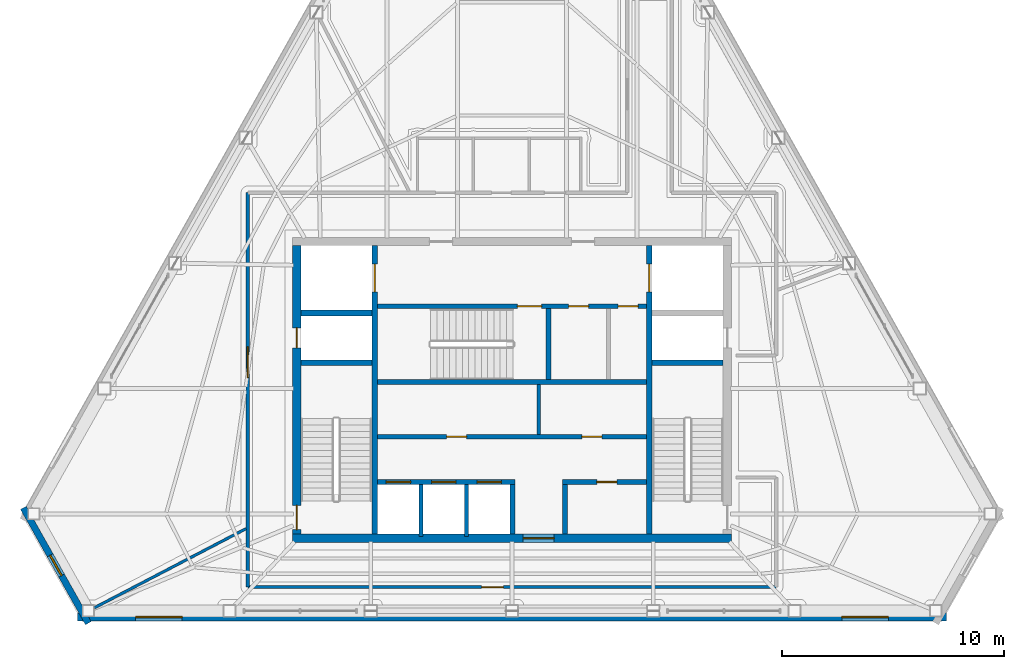
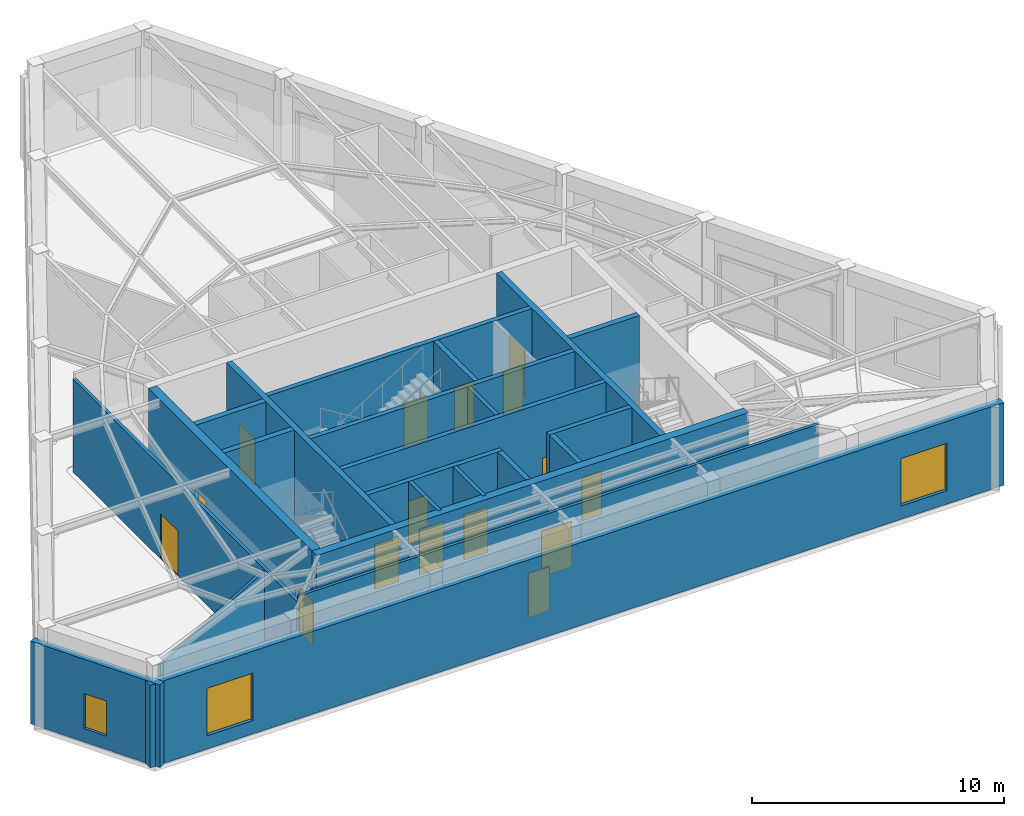
# One storey, part 9 of 15: 23 walls, 16 doors, 3 windows, 19 openings.
"""IFC4 building model written with IfcOpenShell, lengths in metres."""

from ifc_helpers import new_model, si_unit, direction, frame, frame_2d, origin, place, context, subcontext, project, spatial, rectangle, extrude, material, layer, layer_set, type_object, element, fill, save


model = new_model("IFC4")

# Units and contexts
model_context = context("Model", 3, precision=1e-05, world=origin(), true_north=direction((0.0, 1.0)))
body_context = subcontext(model_context, "Body", "Model", "MODEL_VIEW")
ifc_project = project(units=[si_unit("LENGTHUNIT", "METRE"), si_unit("AREAUNIT", "SQUARE_METRE"), si_unit("VOLUMEUNIT", "CUBIC_METRE"), si_unit("PLANEANGLEUNIT", "RADIAN"), si_unit("MASSUNIT", "GRAM", prefix="KILO")], contexts=[model_context])

# Site, building, storey
site_placement = place(None, origin())
site = spatial("IfcSite", under=ifc_project, at=site_placement, CompositionType="ELEMENT")
building_placement = place(site_placement, origin())
building = spatial("IfcBuilding", under=site, at=building_placement, Name="Kavelnor Concourse Tower", CompositionType="ELEMENT")
storey_placement = place(building_placement, frame((0.0, 0.0, 304.949951171875)))
storey = spatial("IfcBuildingStorey", under=building, at=storey_placement, Name="L77", CompositionType="ELEMENT", Elevation=304.949951171875)

# Wall, opening, door
ifc_material_1 = material(Name="Concrete C50/60", Category="concrete")
ifc_layer_1 = layer(ifc_material_1, 0.3798828125, Name="Concrete C50/60")
ifc_layer_set_1 = layer_set([ifc_layer_1], Name="Concrete C50/60")
wall_type_1 = type_object("IfcWallType", Name="WL-CORE-Z4-380", PredefinedType="SOLIDWALL", material=ifc_layer_set_1)
wall_1_placement = place(storey_placement, frame((28.10009765625, 9.409912109375, 0.0), z_axis=(0.0, 0.0, 1.0), x_axis=(1.0, 0.0, 0.0)))
wall_1 = element("IfcWall", 1, at=wall_1_placement, inside=storey, type_object=wall_type_1, Name="L77 Central Core South Shear Wall", PredefinedType="SOLIDWALL", context=body_context, shape_type="SweptSolid", body=[
    extrude(rectangle(XDim=19.7998046875, YDim=0.3798828125, at=frame_2d((9.89990234375, 0.0))), origin(), (0.0, 0.0, 1.0), 4.77001953125),
])
opening_1_placement = place(wall_1_placement, frame((10.39990234375, 0.0, 0.0)))
opening_1 = element("IfcOpeningElement", 2, at=opening_1_placement, cuts=wall_1, Name="Opening SD-140", PredefinedType="OPENING", context=body_context, shape_type="SweptSolid", body=[
    extrude(rectangle(XDim=1.39990234375, YDim=2.199951171875, at=frame_2d((0.699951171875, 1.10009765625))), frame((0.0, 0.199951171875, 0.0), z_axis=(0.0, -1.0, 0.0), x_axis=(1.0, 0.0, 0.0)), (0.0, 0.0, 1.0), 0.39990234375),
])
ifc_material_2 = material(Name="Solid-core hardwood timber", Category="wood")
door_type_1 = type_object("IfcDoorType", Name="DR-SUITE-ENTRY-1400", OperationType="NOTDEFINED", PredefinedType="DOOR", material=ifc_material_2)
door_1_placement = place(opening_1_placement, origin())
door_1 = element("IfcDoor", 3, at=door_1_placement, inside=storey, type_object=door_type_1, Name="L77 Passenger Lift Lobby Entry Door", OperationType="SINGLE_SWING_RIGHT", OverallHeight=2.199951171875, OverallWidth=1.39990234375, PredefinedType="DOOR", context=body_context, shape_type="SweptSolid", body=[
    extrude(rectangle(XDim=1.39990234375, YDim=2.199951171875, at=frame_2d((0.699951171875, 1.10009765625))), frame((0.0, 0.02490234375, 0.0), z_axis=(0.0, -1.0, 0.0), x_axis=(1.0, 0.0, 0.0)), (0.0, 0.0, 1.0), 0.050048828125),
])
fill(opening_1, door_1)

# Wall, openings, doors
wall_2_placement = place(storey_placement, frame((28.2900390625, 9.60009765625, 0.0), z_axis=(0.0, 0.0, 1.0), x_axis=(0.0, 1.0, 0.0)))
wall_2 = element("IfcWall", 4, at=wall_2_placement, inside=storey, type_object=wall_type_1, Name="L77 Central Core West Shear Wall", PredefinedType="SOLIDWALL", context=body_context, shape_type="SweptSolid", body=[
    extrude(rectangle(XDim=13.0, YDim=0.3798828125, at=frame_2d((6.5, 0.0))), origin(), (0.0, 0.0, 1.0), 4.77001953125),
])
opening_2_placement = place(wall_2_placement, frame((0.199951171875, 0.0, 0.0)))
opening_2 = element("IfcOpeningElement", 5, at=opening_2_placement, cuts=wall_2, Name="Opening FD-110", PredefinedType="OPENING", context=body_context, shape_type="SweptSolid", body=[
    extrude(rectangle(XDim=1.10009765625, YDim=2.14990234375, at=frame_2d((0.550048828125, 1.074951171875))), frame((0.0, 0.199951171875, 0.0), z_axis=(0.0, -1.0, 0.0), x_axis=(1.0, 0.0, 0.0)), (0.0, 0.0, 1.0), 0.39990234375),
])
opening_3_placement = place(wall_2_placement, frame((8.39990234375, 0.0, 0.0)))
opening_3 = element("IfcOpeningElement", 6, at=opening_3_placement, cuts=wall_2, Name="Opening FD-090", PredefinedType="OPENING", context=body_context, shape_type="SweptSolid", body=[
    extrude(rectangle(XDim=0.89990234375, YDim=2.10009765625, at=frame_2d((0.449951171875, 1.050048828125))), frame((0.0, 0.199951171875, 0.0), z_axis=(0.0, -1.0, 0.0), x_axis=(1.0, 0.0, 0.0)), (0.0, 0.0, 1.0), 0.39990234375),
])
ifc_material_3 = material(Name="Steel Grade 350", Category="steel")
door_type_2 = type_object("IfcDoorType", Name="DR-RISER-FIRE-900", OperationType="NOTDEFINED", PredefinedType="DOOR", material=ifc_material_3)
door_2_placement = place(opening_3_placement, origin())
door_2 = element("IfcDoor", 7, at=door_2_placement, inside=storey, type_object=door_type_2, Name="L77 West Riser Access Door", OperationType="SINGLE_SWING_RIGHT", OverallHeight=2.10009765625, OverallWidth=0.89990234375, PredefinedType="DOOR", context=body_context, shape_type="SweptSolid", body=[
    extrude(rectangle(XDim=0.89990234375, YDim=2.10009765625, at=frame_2d((0.449951171875, 1.050048828125))), frame((0.0, 0.02490234375, 0.0), z_axis=(0.0, -1.0, 0.0), x_axis=(1.0, 0.0, 0.0)), (0.0, 0.0, 1.0), 0.050048828125),
])
fill(opening_3, door_2)
door_type_3 = type_object("IfcDoorType", Name="DR-STAIR-FIRE-1100", OperationType="NOTDEFINED", PredefinedType="DOOR", material=ifc_material_3)
door_3_placement = place(opening_2_placement, origin())
door_3 = element("IfcDoor", 8, at=door_3_placement, inside=storey, type_object=door_type_3, Name="L77 Stair ST1 Fire Door", OperationType="SINGLE_SWING_LEFT", OverallHeight=2.14990234375, OverallWidth=1.10009765625, PredefinedType="DOOR", context=body_context, shape_type="SweptSolid", body=[
    extrude(rectangle(XDim=1.10009765625, YDim=2.14990234375, at=frame_2d((0.550048828125, 1.074951171875))), frame((0.0, 0.02490234375, 0.0), z_axis=(0.0, -1.0, 0.0), x_axis=(1.0, 0.0, 0.0)), (0.0, 0.0, 1.0), 0.050048828125),
])
fill(opening_2, door_3)

# Wall, opening, window
ifc_material_4 = material(Name="Buff ironspot clay face brick masonry", Category="masonry")
ifc_layer_2 = layer(ifc_material_4, 0.300048828125, Name="Buff ironspot clay face brick masonry")
ifc_layer_set_2 = layer_set([ifc_layer_2], Name="Buff ironspot clay face brick masonry")
wall_type_2 = type_object("IfcWallType", Name="WL-EXT-BUFF-BRICK-FOLD-300", PredefinedType="STANDARD", material=ifc_layer_set_2)
wall_3_placement = place(storey_placement, frame((18.90087890625, 5.583740234375, 0.0), z_axis=(0.0, 0.0, 1.0), x_axis=(-0.490711674977, 0.871322013977, 0.0)))
wall_3 = element("IfcWall", 9, at=wall_3_placement, inside=storey, type_object=wall_type_2, Name="L77 Exterior Brick Facade Wall E2", PredefinedType="STANDARD", context=body_context, shape_type="SweptSolid", body=[
    extrude(rectangle(XDim=5.96923828125, YDim=0.300048828125, at=frame_2d((2.984619140625, 0.0))), origin(), (0.0, 0.0, 1.0), 4.011962890625),
])
opening_4_placement = place(wall_3_placement, frame((2.459716796875, 0.0, 0.64990234375)))
opening_4 = element("IfcOpeningElement", 10, at=opening_4_placement, cuts=wall_3, Name="Opening W-06", PredefinedType="OPENING", context=body_context, shape_type="SweptSolid", body=[
    extrude(rectangle(XDim=1.050048828125, YDim=1.699951171875, at=frame_2d((0.52490234375, 0.85009765625))), frame((0.0, 0.16015625, 0.0), z_axis=(0.0, -1.0, 0.0), x_axis=(1.0, 0.0, 0.0)), (0.0, 0.0, 1.0), 0.320068359375),
])
ifc_material_5 = material(Name="Double low-E argon insulated glazing", Category="glass")
window_type_1 = type_object("IfcWindowType", Name="WIN-FOLD-1050", PartitioningType="SINGLE_PANEL", PredefinedType="WINDOW", material=ifc_material_5)
window_1_placement = place(opening_4_placement, origin())
window_1 = element("IfcWindow", 11, at=window_1_placement, inside=storey, type_object=window_type_1, Name="L77 Chamfer-Fold Facet Window C1", OverallHeight=1.699951171875, OverallWidth=1.050048828125, PartitioningType="SINGLE_PANEL", PredefinedType="WINDOW", context=body_context, shape_type="SweptSolid", body=[
    extrude(rectangle(XDim=1.050048828125, YDim=1.699951171875, at=frame_2d((0.52490234375, 0.85009765625))), frame((0.0, 0.030029296875, 0.0), z_axis=(0.0, -1.0, 0.0), x_axis=(1.0, 0.0, 0.0)), (0.0, 0.0, 1.0), 0.06005859375),
])
fill(opening_4, window_1)

# Wall, openings, windows
ifc_material_6 = material(Name="Red-ochre clay face brick masonry", Category="masonry")
ifc_layer_3 = layer(ifc_material_6, 0.35009765625, Name="Red-ochre clay face brick masonry")
ifc_layer_set_3 = layer_set([ifc_layer_3], Name="Red-ochre clay face brick masonry")
wall_type_3 = type_object("IfcWallType", Name="WL-EXT-RED-BRICK-PIER-350", PredefinedType="STANDARD", material=ifc_layer_set_3)
wall_4_placement = place(storey_placement, frame((57.580078125, 5.864990234375, 0.0), z_axis=(0.0, 0.0, 1.0), x_axis=(-1.0, 0.0, 0.0)))
wall_4 = element("IfcWall", 12, at=wall_4_placement, inside=storey, type_object=wall_type_3, Name="L77 Exterior Brick Facade Wall E3", PredefinedType="STANDARD", context=body_context, shape_type="SweptSolid", body=[
    extrude(rectangle(XDim=39.16015625, YDim=0.35009765625, at=frame_2d((19.580078125, 0.0))), origin(), (0.0, 0.0, 1.0), 4.011962890625),
])
opening_5_placement = place(wall_4_placement, frame((34.446533203125, 0.0, 0.64990234375)))
opening_5 = element("IfcOpeningElement", 13, at=opening_5_placement, cuts=wall_4, Name="Opening W-08", PredefinedType="OPENING", context=body_context, shape_type="SweptSolid", body=[
    extrude(rectangle(XDim=2.10009765625, YDim=2.300048828125, at=frame_2d((1.050048828125, 1.14990234375))), frame((0.0, 0.18505859375, 0.0), z_axis=(0.0, -1.0, 0.0), x_axis=(1.0, 0.0, 0.0)), (0.0, 0.0, 1.0), 0.3701171875),
])
opening_6_placement = place(wall_4_placement, frame((2.61376953125, 0.0, 0.64990234375)))
opening_6 = element("IfcOpeningElement", 14, at=opening_6_placement, cuts=wall_4, Name="Opening W-08", PredefinedType="OPENING", context=body_context, shape_type="SweptSolid", body=[
    extrude(rectangle(XDim=2.10009765625, YDim=2.300048828125, at=frame_2d((1.050048828125, 1.14990234375))), frame((0.0, 0.18505859375, 0.0), z_axis=(0.0, -1.0, 0.0), x_axis=(1.0, 0.0, 0.0)), (0.0, 0.0, 1.0), 0.3701171875),
])
window_type_2 = type_object("IfcWindowType", Name="WIN-OBS-2400", PartitioningType="SINGLE_PANEL", PredefinedType="WINDOW", material=ifc_material_5)
window_2_placement = place(opening_5_placement, origin())
window_2 = element("IfcWindow", 15, at=window_2_placement, inside=storey, type_object=window_type_2, Name="L77 Deep-Set Brick Pier Window F1-B0", OverallHeight=2.300048828125, OverallWidth=2.10009765625, PartitioningType="SINGLE_PANEL", PredefinedType="WINDOW", context=body_context, shape_type="SweptSolid", body=[
    extrude(rectangle(XDim=2.10009765625, YDim=2.300048828125, at=frame_2d((1.050048828125, 1.14990234375))), frame((0.0, 0.030029296875, 0.0), z_axis=(0.0, -1.0, 0.0), x_axis=(1.0, 0.0, 0.0)), (0.0, 0.0, 1.0), 0.06005859375),
])
fill(opening_5, window_2)
window_3_placement = place(opening_6_placement, origin())
window_3 = element("IfcWindow", 16, at=window_3_placement, inside=storey, type_object=window_type_2, Name="L77 Deep-Set Brick Pier Window F1-B5", OverallHeight=2.300048828125, OverallWidth=2.10009765625, PartitioningType="SINGLE_PANEL", PredefinedType="WINDOW", context=body_context, shape_type="SweptSolid", body=[
    extrude(rectangle(XDim=2.10009765625, YDim=2.300048828125, at=frame_2d((1.050048828125, 1.14990234375))), frame((0.0, 0.030029296875, 0.0), z_axis=(0.0, -1.0, 0.0), x_axis=(1.0, 0.0, 0.0)), (0.0, 0.0, 1.0), 0.06005859375),
])
fill(opening_6, window_3)

# Wall, opening, door
ifc_material_7 = material(Name="Gypsum plasterboard on light-gauge steel studs", Category="steel")
ifc_layer_4 = layer(ifc_material_7, 0.14501953125, Name="Gypsum plasterboard on light-gauge steel studs")
ifc_layer_set_4 = layer_set([ifc_layer_4], Name="Gypsum plasterboard on light-gauge steel studs")
wall_type_4 = type_object("IfcWallType", Name="WL-INT-CORR-145", PredefinedType="PARTITIONING", material=ifc_layer_set_4)
wall_5_placement = place(storey_placement, frame((49.909912109375, 7.2099609375, 0.0), z_axis=(0.0, 0.0, 1.0), x_axis=(-1.0, 0.0, 0.0)))
wall_5 = element("IfcWall", 17, at=wall_5_placement, inside=storey, type_object=wall_type_4, Name="L77 Corridor Wall WL-L77-CR-09", PredefinedType="PARTITIONING", context=body_context, shape_type="SweptSolid", body=[
    extrude(rectangle(XDim=23.81982421875, YDim=0.14501953125, at=frame_2d((11.909912109375, 0.0))), origin(), (0.0, 0.0, 1.0), 4.77001953125),
])
opening_7_placement = place(wall_5_placement, frame((12.300048828125, 0.0, 0.0)))
opening_7 = element("IfcOpeningElement", 18, at=opening_7_placement, cuts=wall_5, Name="Opening OD-098", PredefinedType="OPENING", context=body_context, shape_type="SweptSolid", body=[
    extrude(rectangle(XDim=0.97998046875, YDim=2.14990234375, at=frame_2d((0.489990234375, 1.074951171875))), frame((0.0, 0.08251953125, 0.0), z_axis=(0.0, -1.0, 0.0), x_axis=(1.0, 0.0, 0.0)), (0.0, 0.0, 1.0), 0.1650390625),
])
door_type_4 = type_object("IfcDoorType", Name="DR-OFFICE-980", OperationType="NOTDEFINED", PredefinedType="DOOR", material=ifc_material_2)
door_4_placement = place(opening_7_placement, origin())
door_4 = element("IfcDoor", 19, at=door_4_placement, inside=storey, type_object=door_type_4, Name="L77 Sky Cafe 03 Door", OperationType="SINGLE_SWING_LEFT", OverallHeight=2.14990234375, OverallWidth=0.97998046875, PredefinedType="DOOR", context=body_context, shape_type="SweptSolid", body=[
    extrude(rectangle(XDim=0.97998046875, YDim=2.14990234375, at=frame_2d((0.489990234375, 1.074951171875))), frame((0.0, 0.02490234375, 0.0), z_axis=(0.0, -1.0, 0.0), x_axis=(1.0, 0.0, 0.0)), (0.0, 0.0, 1.0), 0.050048828125),
])
fill(opening_7, door_4)

wall_6_placement = place(storey_placement, frame((26.090087890625, 7.2099609375, 0.0), z_axis=(0.0, 0.0, 1.0), x_axis=(0.0, 1.0, 0.0)))
wall_6 = element("IfcWall", 20, at=wall_6_placement, inside=storey, type_object=wall_type_4, Name="L77 Corridor Wall WL-L77-CR-10", PredefinedType="PARTITIONING", context=body_context, shape_type="SweptSolid", body=[
    extrude(rectangle(XDim=17.780029296875, YDim=0.14501953125, at=frame_2d((8.89013671875, 0.0))), origin(), (0.0, 0.0, 1.0), 4.509033203125),
])
opening_8_placement = place(wall_6_placement, frame((9.429931640625, 0.0, 0.0)))
opening_8 = element("IfcOpeningElement", 21, at=opening_8_placement, cuts=wall_6, Name="Opening SD-140", PredefinedType="OPENING", context=body_context, shape_type="SweptSolid", body=[
    extrude(rectangle(XDim=1.39990234375, YDim=2.199951171875, at=frame_2d((0.699951171875, 1.10009765625))), frame((0.0, 0.08251953125, 0.0), z_axis=(0.0, -1.0, 0.0), x_axis=(1.0, 0.0, 0.0)), (0.0, 0.0, 1.0), 0.1650390625),
])
door_5_placement = place(opening_8_placement, origin())
door_5 = element("IfcDoor", 22, at=door_5_placement, inside=storey, type_object=door_type_1, Name="L77 Observation Gallery 02 Door", OperationType="SINGLE_SWING_RIGHT", OverallHeight=2.199951171875, OverallWidth=1.39990234375, PredefinedType="DOOR", context=body_context, shape_type="SweptSolid", body=[
    extrude(rectangle(XDim=1.39990234375, YDim=2.199951171875, at=frame_2d((0.699951171875, 1.10009765625))), frame((0.0, 0.02490234375, 0.0), z_axis=(0.0, -1.0, 0.0), x_axis=(1.0, 0.0, 0.0)), (0.0, 0.0, 1.0), 0.050048828125),
])
fill(opening_8, door_5)

# Walls
ifc_layer_5 = layer(ifc_material_7, 0.1650390625, Name="Gypsum plasterboard on light-gauge steel studs")
ifc_layer_set_5 = layer_set([ifc_layer_5], Name="Gypsum plasterboard on light-gauge steel studs")
wall_type_5 = type_object("IfcWallType", Name="WL-INT-FIRE-165", PredefinedType="PARTITIONING", material=ifc_layer_set_5)
for number, where, z_axis, x_axis, name in (
    (23, (33.89990234375, 9.489990234375, 0.0), (0.0, 0.0, 1.0), (0.0, 1.0, 0.0), "L77 Lift Shaft Divider LP7"),
    (24, (35.949951171875, 9.489990234375, 0.0), (0.0, 0.0, 1.0), (0.0, 1.0, 0.0), "L77 Lift Shaft Divider LP8"),
):
    element("IfcWall", number, at=place(storey_placement, frame(where, z_axis=z_axis, x_axis=x_axis)), inside=storey, type_object=wall_type_5, Name=name, PredefinedType="PARTITIONING", context=body_context, shape_type="SweptSolid", body=[
        extrude(rectangle(XDim=2.35009765625, YDim=0.1650390625, at=frame_2d((1.175048828125, 0.0))), origin(), (0.0, 0.0, 1.0), 4.77001953125),
    ])
wall_7_placement = place(storey_placement, frame((39.199951171875, 14.10009765625, 0.0), z_axis=(0.0, 0.0, 1.0), x_axis=(0.0, 1.0, 0.0)))
element("IfcWall", 25, at=wall_7_placement, inside=storey, type_object=wall_type_5, Name="L77 Reclaimed Core Partition C", PredefinedType="PARTITIONING", context=body_context, shape_type="SweptSolid", body=[
    extrude(rectangle(XDim=2.239990234375, YDim=0.1650390625, at=frame_2d((1.1201171875, 0.0))), origin(), (0.0, 0.0, 1.0), 4.77001953125),
])
ifc_layer_6 = layer(ifc_material_7, 0.125, Name="Gypsum plasterboard on light-gauge steel studs")
ifc_layer_set_6 = layer_set([ifc_layer_6], Name="Gypsum plasterboard on light-gauge steel studs")
wall_type_6 = type_object("IfcWallType", Name="WL-INT-SUITE-125", PredefinedType="PARTITIONING", material=ifc_layer_set_6)
wall_8_placement = place(storey_placement, frame((26.009521484375, 9.843994140625, 0.0), z_axis=(0.0, 0.0, 1.0), x_axis=(-0.886593308509, -0.462549786842, 0.0)))
element("IfcWall", 26, at=wall_8_placement, inside=storey, type_object=wall_type_6, Name="L77 Radial Suite Partition 03", PredefinedType="PARTITIONING", context=body_context, shape_type="SweptSolid", body=[
    extrude(rectangle(XDim=7.716064453125, YDim=0.125, at=frame_2d((3.85791015625, 0.0))), origin(), (0.0, 0.0, 1.0), 4.406005859375),
])

# Wall, openings, doors
ifc_layer_7 = layer(ifc_material_1, 0.219970703125, Name="Concrete C50/60")
ifc_layer_set_7 = layer_set([ifc_layer_7], Name="Concrete C50/60")
wall_type_7 = type_object("IfcWallType", Name="WL-SHAFT-220", PredefinedType="SOLIDWALL", material=ifc_layer_set_7)
wall_9_placement = place(storey_placement, frame((31.93994140625, 19.8701171875, 0.0), z_axis=(0.0, 0.0, 1.0), x_axis=(1.0, 0.0, 0.0)))
wall_9 = element("IfcWall", 27, at=wall_9_placement, inside=storey, type_object=wall_type_7, Name="L77 Emergency Lift Lobby South Wall", PredefinedType="SOLIDWALL", context=body_context, shape_type="SweptSolid", body=[
    extrude(rectangle(XDim=12.1201171875, YDim=0.219970703125, at=frame_2d((6.06005859375, 0.0))), origin(), (0.0, 0.0, 1.0), 4.77001953125),
])
opening_9_placement = place(wall_9_placement, frame((6.300048828125, 0.0, 0.0)))
opening_9 = element("IfcOpeningElement", 28, at=opening_9_placement, cuts=wall_9, Name="Opening FD-110", PredefinedType="OPENING", context=body_context, shape_type="SweptSolid", body=[
    extrude(rectangle(XDim=1.10009765625, YDim=2.14990234375, at=frame_2d((0.550048828125, 1.074951171875))), frame((0.0, 0.1201171875, 0.0), z_axis=(0.0, -1.0, 0.0), x_axis=(1.0, 0.0, 0.0)), (0.0, 0.0, 1.0), 0.239990234375),
])
opening_10_placement = place(wall_9_placement, frame((8.610107421875, 0.0, 0.0)))
opening_10 = element("IfcOpeningElement", 29, at=opening_10_placement, cuts=wall_9, Name="Opening FD-090", PredefinedType="OPENING", context=body_context, shape_type="SweptSolid", body=[
    extrude(rectangle(XDim=0.89990234375, YDim=2.10009765625, at=frame_2d((0.449951171875, 1.050048828125))), frame((0.0, 0.1201171875, 0.0), z_axis=(0.0, -1.0, 0.0), x_axis=(1.0, 0.0, 0.0)), (0.0, 0.0, 1.0), 0.239990234375),
])
opening_11_placement = place(wall_9_placement, frame((10.85009765625, 0.0, 0.0)))
opening_11 = element("IfcOpeningElement", 30, at=opening_11_placement, cuts=wall_9, Name="Opening FD-090", PredefinedType="OPENING", context=body_context, shape_type="SweptSolid", body=[
    extrude(rectangle(XDim=0.89990234375, YDim=2.10009765625, at=frame_2d((0.449951171875, 1.050048828125))), frame((0.0, 0.1201171875, 0.0), z_axis=(0.0, -1.0, 0.0), x_axis=(1.0, 0.0, 0.0)), (0.0, 0.0, 1.0), 0.239990234375),
])
door_6_placement = place(opening_10_placement, origin())
door_6 = element("IfcDoor", 31, at=door_6_placement, inside=storey, type_object=door_type_2, Name="L77 Electrical Room Door", OperationType="SINGLE_SWING_LEFT", OverallHeight=2.10009765625, OverallWidth=0.89990234375, PredefinedType="DOOR", context=body_context, shape_type="SweptSolid", body=[
    extrude(rectangle(XDim=0.89990234375, YDim=2.10009765625, at=frame_2d((0.449951171875, 1.050048828125))), frame((0.0, 0.02490234375, 0.0), z_axis=(0.0, -1.0, 0.0), x_axis=(1.0, 0.0, 0.0)), (0.0, 0.0, 1.0), 0.050048828125),
])
fill(opening_10, door_6)
door_7_placement = place(opening_11_placement, origin())
door_7 = element("IfcDoor", 32, at=door_7_placement, inside=storey, type_object=door_type_2, Name="L77 Cleaner Store Door", OperationType="SINGLE_SWING_RIGHT", OverallHeight=2.10009765625, OverallWidth=0.89990234375, PredefinedType="DOOR", context=body_context, shape_type="SweptSolid", body=[
    extrude(rectangle(XDim=0.89990234375, YDim=2.10009765625, at=frame_2d((0.449951171875, 1.050048828125))), frame((0.0, 0.02490234375, 0.0), z_axis=(0.0, -1.0, 0.0), x_axis=(1.0, 0.0, 0.0)), (0.0, 0.0, 1.0), 0.050048828125),
])
fill(opening_11, door_7)
door_8_placement = place(opening_9_placement, origin())
door_8 = element("IfcDoor", 33, at=door_8_placement, inside=storey, type_object=door_type_3, Name="L77 Stair ST3 Fire Door", OperationType="SINGLE_SWING_LEFT", OverallHeight=2.14990234375, OverallWidth=1.10009765625, PredefinedType="DOOR", context=body_context, shape_type="SweptSolid", body=[
    extrude(rectangle(XDim=1.10009765625, YDim=2.14990234375, at=frame_2d((0.550048828125, 1.074951171875))), frame((0.0, 0.02490234375, 0.0), z_axis=(0.0, -1.0, 0.0), x_axis=(1.0, 0.0, 0.0)), (0.0, 0.0, 1.0), 0.050048828125),
])
fill(opening_9, door_8)

# Walls
wall_10_placement = place(storey_placement, frame((31.93994140625, 16.449951171875, 0.0), z_axis=(0.0, 0.0, 1.0), x_axis=(1.0, 0.0, 0.0)))
element("IfcWall", 34, at=wall_10_placement, inside=storey, type_object=wall_type_7, Name="L77 Stair ST3 South Core Wall", PredefinedType="SOLIDWALL", context=body_context, shape_type="SweptSolid", body=[
    extrude(rectangle(XDim=12.1201171875, YDim=0.219970703125, at=frame_2d((6.06005859375, 0.0))), origin(), (0.0, 0.0, 1.0), 4.77001953125),
])
wall_11_placement = place(storey_placement, frame((39.64990234375, 16.56005859375, 0.0), z_axis=(0.0, 0.0, 1.0), x_axis=(0.0, 1.0, 0.0)))
element("IfcWall", 35, at=wall_11_placement, inside=storey, type_object=wall_type_7, Name="L77 Stair ST3 East Core Wall", PredefinedType="SOLIDWALL", context=body_context, shape_type="SweptSolid", body=[
    extrude(rectangle(XDim=3.199951171875, YDim=0.219970703125, at=frame_2d((1.60009765625, 0.0))), origin(), (0.0, 0.0, 1.0), 4.77001953125),
])

# Wall, openings, doors
wall_12_placement = place(storey_placement, frame((31.93994140625, 13.989990234375, 0.0), z_axis=(0.0, 0.0, 1.0), x_axis=(1.0, 0.0, 0.0)))
wall_12 = element("IfcWall", 36, at=wall_12_placement, inside=storey, type_object=wall_type_7, Name="L77 North Lift Row Shaft Wall", PredefinedType="SOLIDWALL", context=body_context, shape_type="SweptSolid", body=[
    extrude(rectangle(XDim=12.1201171875, YDim=0.219970703125, at=frame_2d((6.06005859375, 0.0))), origin(), (0.0, 0.0, 1.0), 4.77001953125),
])
opening_12_placement = place(wall_12_placement, frame((3.110107421875, 0.0, 0.0)))
opening_12 = element("IfcOpeningElement", 37, at=opening_12_placement, cuts=wall_12, Name="Opening FD-090", PredefinedType="OPENING", context=body_context, shape_type="SweptSolid", body=[
    extrude(rectangle(XDim=0.89990234375, YDim=2.10009765625, at=frame_2d((0.449951171875, 1.050048828125))), frame((0.0, 0.1201171875, 0.0), z_axis=(0.0, -1.0, 0.0), x_axis=(1.0, 0.0, 0.0)), (0.0, 0.0, 1.0), 0.239990234375),
])
opening_13_placement = place(wall_12_placement, frame((9.2099609375, 0.0, 0.0)))
opening_13 = element("IfcOpeningElement", 38, at=opening_13_placement, cuts=wall_12, Name="Opening FD-090", PredefinedType="OPENING", context=body_context, shape_type="SweptSolid", body=[
    extrude(rectangle(XDim=0.89990234375, YDim=2.10009765625, at=frame_2d((0.449951171875, 1.050048828125))), frame((0.0, 0.1201171875, 0.0), z_axis=(0.0, -1.0, 0.0), x_axis=(1.0, 0.0, 0.0)), (0.0, 0.0, 1.0), 0.239990234375),
])
door_9_placement = place(opening_12_placement, origin())
door_9 = element("IfcDoor", 39, at=door_9_placement, inside=storey, type_object=door_type_2, Name="L77 Lounge Pantry Door", OperationType="SINGLE_SWING_LEFT", OverallHeight=2.10009765625, OverallWidth=0.89990234375, PredefinedType="DOOR", context=body_context, shape_type="SweptSolid", body=[
    extrude(rectangle(XDim=0.89990234375, YDim=2.10009765625, at=frame_2d((0.449951171875, 1.050048828125))), frame((0.0, 0.02490234375, 0.0), z_axis=(0.0, -1.0, 0.0), x_axis=(1.0, 0.0, 0.0)), (0.0, 0.0, 1.0), 0.050048828125),
])
fill(opening_12, door_9)
door_10_placement = place(opening_13_placement, origin())
door_10 = element("IfcDoor", 40, at=door_10_placement, inside=storey, type_object=door_type_2, Name="L77 Facilities Store Door", OperationType="SINGLE_SWING_RIGHT", OverallHeight=2.10009765625, OverallWidth=0.89990234375, PredefinedType="DOOR", context=body_context, shape_type="SweptSolid", body=[
    extrude(rectangle(XDim=0.89990234375, YDim=2.10009765625, at=frame_2d((0.449951171875, 1.050048828125))), frame((0.0, 0.02490234375, 0.0), z_axis=(0.0, -1.0, 0.0), x_axis=(1.0, 0.0, 0.0)), (0.0, 0.0, 1.0), 0.050048828125),
])
fill(opening_13, door_10)

wall_13_placement = place(storey_placement, frame((31.93994140625, 11.949951171875, 0.0), z_axis=(0.0, 0.0, 1.0), x_axis=(1.0, 0.0, 0.0)))
wall_13 = element("IfcWall", 41, at=wall_13_placement, inside=storey, type_object=wall_type_7, Name="L77 High-Rise Lift Bank North Wall", PredefinedType="SOLIDWALL", context=body_context, shape_type="SweptSolid", body=[
    extrude(rectangle(XDim=6.18994140625, YDim=0.219970703125, at=frame_2d((3.094970703125, 0.0))), origin(), (0.0, 0.0, 1.0), 4.77001953125),
])
opening_14_placement = place(wall_13_placement, frame((0.385009765625, 0.0, 0.0)))
opening_14 = element("IfcOpeningElement", 42, at=opening_14_placement, cuts=wall_13, Name="Opening LD-110", PredefinedType="OPENING", context=body_context, shape_type="SweptSolid", body=[
    extrude(rectangle(XDim=1.10009765625, YDim=2.199951171875, at=frame_2d((0.550048828125, 1.10009765625))), frame((0.0, 0.1201171875, 0.0), z_axis=(0.0, -1.0, 0.0), x_axis=(1.0, 0.0, 0.0)), (0.0, 0.0, 1.0), 0.239990234375),
])
opening_15_placement = place(wall_13_placement, frame((2.43505859375, 0.0, 0.0)))
opening_15 = element("IfcOpeningElement", 43, at=opening_15_placement, cuts=wall_13, Name="Opening LD-110", PredefinedType="OPENING", context=body_context, shape_type="SweptSolid", body=[
    extrude(rectangle(XDim=1.10009765625, YDim=2.199951171875, at=frame_2d((0.550048828125, 1.10009765625))), frame((0.0, 0.1201171875, 0.0), z_axis=(0.0, -1.0, 0.0), x_axis=(1.0, 0.0, 0.0)), (0.0, 0.0, 1.0), 0.239990234375),
])
opening_16_placement = place(wall_13_placement, frame((4.485107421875, 0.0, 0.0)))
opening_16 = element("IfcOpeningElement", 44, at=opening_16_placement, cuts=wall_13, Name="Opening LD-110", PredefinedType="OPENING", context=body_context, shape_type="SweptSolid", body=[
    extrude(rectangle(XDim=1.10009765625, YDim=2.199951171875, at=frame_2d((0.550048828125, 1.10009765625))), frame((0.0, 0.1201171875, 0.0), z_axis=(0.0, -1.0, 0.0), x_axis=(1.0, 0.0, 0.0)), (0.0, 0.0, 1.0), 0.239990234375),
])
door_type_5 = type_object("IfcDoorType", Name="DR-LIFT-SLIDING-1100", OperationType="NOTDEFINED", PredefinedType="DOOR", material=ifc_material_3)
door_11_placement = place(opening_14_placement, origin())
door_11 = element("IfcDoor", 45, at=door_11_placement, inside=storey, type_object=door_type_5, Name="L77 Lift LP7 Landing Door", OperationType="DOUBLE_DOOR_SLIDING", OverallHeight=2.199951171875, OverallWidth=1.10009765625, PredefinedType="DOOR", context=body_context, shape_type="SweptSolid", body=[
    extrude(rectangle(XDim=1.10009765625, YDim=2.199951171875, at=frame_2d((0.550048828125, 1.10009765625))), frame((0.0, 0.02490234375, 0.0), z_axis=(0.0, -1.0, 0.0), x_axis=(1.0, 0.0, 0.0)), (0.0, 0.0, 1.0), 0.050048828125),
])
fill(opening_14, door_11)
door_12_placement = place(opening_15_placement, origin())
door_12 = element("IfcDoor", 46, at=door_12_placement, inside=storey, type_object=door_type_5, Name="L77 Lift LP8 Landing Door", OperationType="DOUBLE_DOOR_SLIDING", OverallHeight=2.199951171875, OverallWidth=1.10009765625, PredefinedType="DOOR", context=body_context, shape_type="SweptSolid", body=[
    extrude(rectangle(XDim=1.10009765625, YDim=2.199951171875, at=frame_2d((0.550048828125, 1.10009765625))), frame((0.0, 0.02490234375, 0.0), z_axis=(0.0, -1.0, 0.0), x_axis=(1.0, 0.0, 0.0)), (0.0, 0.0, 1.0), 0.050048828125),
])
fill(opening_15, door_12)
door_13_placement = place(opening_16_placement, origin())
door_13 = element("IfcDoor", 47, at=door_13_placement, inside=storey, type_object=door_type_5, Name="L77 Lift LP9 Landing Door", OperationType="DOUBLE_DOOR_SLIDING", OverallHeight=2.199951171875, OverallWidth=1.10009765625, PredefinedType="DOOR", context=body_context, shape_type="SweptSolid", body=[
    extrude(rectangle(XDim=1.10009765625, YDim=2.199951171875, at=frame_2d((0.550048828125, 1.10009765625))), frame((0.0, 0.02490234375, 0.0), z_axis=(0.0, -1.0, 0.0), x_axis=(1.0, 0.0, 0.0)), (0.0, 0.0, 1.0), 0.050048828125),
])
fill(opening_16, door_13)

# Wall, opening, door
wall_14_placement = place(storey_placement, frame((40.280029296875, 11.949951171875, 0.0), z_axis=(0.0, 0.0, 1.0), x_axis=(1.0, 0.0, 0.0)))
wall_14 = element("IfcWall", 48, at=wall_14_placement, inside=storey, type_object=wall_type_7, Name="L77 Core South Support North Wall", PredefinedType="SOLIDWALL", context=body_context, shape_type="SweptSolid", body=[
    extrude(rectangle(XDim=3.780029296875, YDim=0.219970703125, at=frame_2d((1.89013671875, 0.0))), origin(), (0.0, 0.0, 1.0), 4.77001953125),
])
opening_17_placement = place(wall_14_placement, frame((1.550048828125, 0.0, 0.0)))
opening_17 = element("IfcOpeningElement", 49, at=opening_17_placement, cuts=wall_14, Name="Opening FD-090", PredefinedType="OPENING", context=body_context, shape_type="SweptSolid", body=[
    extrude(rectangle(XDim=0.89990234375, YDim=2.10009765625, at=frame_2d((0.449951171875, 1.050048828125))), frame((0.0, 0.1201171875, 0.0), z_axis=(0.0, -1.0, 0.0), x_axis=(1.0, 0.0, 0.0)), (0.0, 0.0, 1.0), 0.239990234375),
])
door_14_placement = place(opening_17_placement, origin())
door_14 = element("IfcDoor", 50, at=door_14_placement, inside=storey, type_object=door_type_2, Name="L77 Core Utility Store Door", OperationType="SINGLE_SWING_LEFT", OverallHeight=2.10009765625, OverallWidth=0.89990234375, PredefinedType="DOOR", context=body_context, shape_type="SweptSolid", body=[
    extrude(rectangle(XDim=0.89990234375, YDim=2.10009765625, at=frame_2d((0.449951171875, 1.050048828125))), frame((0.0, 0.02490234375, 0.0), z_axis=(0.0, -1.0, 0.0), x_axis=(1.0, 0.0, 0.0)), (0.0, 0.0, 1.0), 0.050048828125),
])
fill(opening_17, door_14)

# Walls
for number, where, z_axis, x_axis, name in (
    (51, (38.02001953125, 9.60009765625, 0.0), (0.0, 0.0, 1.0), (0.0, 1.0, 0.0), "L77 Lift Lobby Throat West Wall"),
    (52, (40.389892578125, 9.60009765625, 0.0), (0.0, 0.0, 1.0), (0.0, 1.0, 0.0), "L77 Lift Lobby Throat East Wall"),
):
    element("IfcWall", number, at=place(storey_placement, frame(where, z_axis=z_axis, x_axis=x_axis)), inside=storey, type_object=wall_type_7, Name=name, PredefinedType="SOLIDWALL", context=body_context, shape_type="SweptSolid", body=[
        extrude(rectangle(XDim=2.239990234375, YDim=0.219970703125, at=frame_2d((1.1201171875, 0.0))), origin(), (0.0, 0.0, 1.0), 4.77001953125),
    ])

# Wall, opening, door
ifc_layer_8 = layer(ifc_material_1, 0.260009765625, Name="Concrete C50/60")
ifc_layer_set_8 = layer_set([ifc_layer_8], Name="Concrete C50/60")
wall_type_8 = type_object("IfcWallType", Name="WL-SHAFT-260", PredefinedType="SHEAR", material=ifc_layer_set_8)
wall_15_placement = place(storey_placement, frame((31.81005859375, 9.60009765625, 0.0), z_axis=(0.0, 0.0, 1.0), x_axis=(0.0, 1.0, 0.0)))
wall_15 = element("IfcWall", 53, at=wall_15_placement, inside=storey, type_object=wall_type_8, Name="L77 Core West Wing Shear Wall", PredefinedType="SHEAR", context=body_context, shape_type="SweptSolid", body=[
    extrude(rectangle(XDim=13.0, YDim=0.260009765625, at=frame_2d((6.5, 0.0))), origin(), (0.0, 0.0, 1.0), 4.77001953125),
])
opening_18_placement = place(wall_15_placement, frame((10.925048828125, 0.0, 0.0)))
opening_18 = element("IfcOpeningElement", 54, at=opening_18_placement, cuts=wall_15, Name="Opening LD-125", PredefinedType="OPENING", context=body_context, shape_type="SweptSolid", body=[
    extrude(rectangle(XDim=1.25, YDim=2.25, at=frame_2d((0.625, 1.125))), frame((0.0, 0.14013671875, 0.0), z_axis=(0.0, -1.0, 0.0), x_axis=(1.0, 0.0, 0.0)), (0.0, 0.0, 1.0), 0.280029296875),
])
door_type_6 = type_object("IfcDoorType", Name="DR-LIFT-SLIDING-1250", OperationType="NOTDEFINED", PredefinedType="DOOR", material=ifc_material_3)
door_15_placement = place(opening_18_placement, origin())
door_15 = element("IfcDoor", 55, at=door_15_placement, inside=storey, type_object=door_type_6, Name="L77 Emergency Lift FL1 Landing Door", OperationType="DOUBLE_DOOR_SLIDING", OverallHeight=2.25, OverallWidth=1.25, PredefinedType="DOOR", context=body_context, shape_type="SweptSolid", body=[
    extrude(rectangle(XDim=1.25, YDim=2.25, at=frame_2d((0.625, 1.125))), frame((0.0, 0.02490234375, 0.0), z_axis=(0.0, -1.0, 0.0), x_axis=(1.0, 0.0, 0.0)), (0.0, 0.0, 1.0), 0.050048828125),
])
fill(opening_18, door_15)

wall_16_placement = place(storey_placement, frame((44.18994140625, 9.60009765625, 0.0), z_axis=(0.0, 0.0, 1.0), x_axis=(0.0, 1.0, 0.0)))
wall_16 = element("IfcWall", 56, at=wall_16_placement, inside=storey, type_object=wall_type_8, Name="L77 Core East Wing Shear Wall", PredefinedType="SHEAR", context=body_context, shape_type="SweptSolid", body=[
    extrude(rectangle(XDim=13.0, YDim=0.260009765625, at=frame_2d((6.5, 0.0))), origin(), (0.0, 0.0, 1.0), 4.77001953125),
])
opening_19_placement = place(wall_16_placement, frame((10.925048828125, 0.0, 0.0)))
opening_19 = element("IfcOpeningElement", 57, at=opening_19_placement, cuts=wall_16, Name="Opening LD-125", PredefinedType="OPENING", context=body_context, shape_type="SweptSolid", body=[
    extrude(rectangle(XDim=1.25, YDim=2.25, at=frame_2d((0.625, 1.125))), frame((0.0, 0.14013671875, 0.0), z_axis=(0.0, -1.0, 0.0), x_axis=(1.0, 0.0, 0.0)), (0.0, 0.0, 1.0), 0.280029296875),
])
door_16_placement = place(opening_19_placement, origin())
door_16 = element("IfcDoor", 58, at=door_16_placement, inside=storey, type_object=door_type_6, Name="L77 Emergency Lift FL2 Landing Door", OperationType="DOUBLE_DOOR_SLIDING", OverallHeight=2.25, OverallWidth=1.25, PredefinedType="DOOR", context=body_context, shape_type="SweptSolid", body=[
    extrude(rectangle(XDim=1.25, YDim=2.25, at=frame_2d((0.625, 1.125))), frame((0.0, 0.02490234375, 0.0), z_axis=(0.0, -1.0, 0.0), x_axis=(1.0, 0.0, 0.0)), (0.0, 0.0, 1.0), 0.050048828125),
])
fill(opening_19, door_16)

# Walls
for number, where, z_axis, x_axis, name in (
    (59, (28.47998046875, 17.330078125, 0.0), (0.0, 0.0, 1.0), (1.0, 0.0, 0.0), "L77 Stair ST1 North Shaft Wall"),
    (60, (28.47998046875, 19.570068359375, 0.0), (0.0, 0.0, 1.0), (1.0, 0.0, 0.0), "L77 Emergency Lift FL1 South Shaft Wall"),
    (61, (44.320068359375, 17.330078125, 0.0), (0.0, 0.0, 1.0), (1.0, 0.0, 0.0), "L77 Stair ST2 North Shaft Wall"),
):
    element("IfcWall", number, at=place(storey_placement, frame(where, z_axis=z_axis, x_axis=x_axis)), inside=storey, type_object=wall_type_8, Name=name, PredefinedType="SHEAR", context=body_context, shape_type="SweptSolid", body=[
        extrude(rectangle(XDim=3.199951171875, YDim=0.260009765625, at=frame_2d((1.60009765625, 0.0))), origin(), (0.0, 0.0, 1.0), 4.77001953125),
    ])

save(model, "model.ifc")
